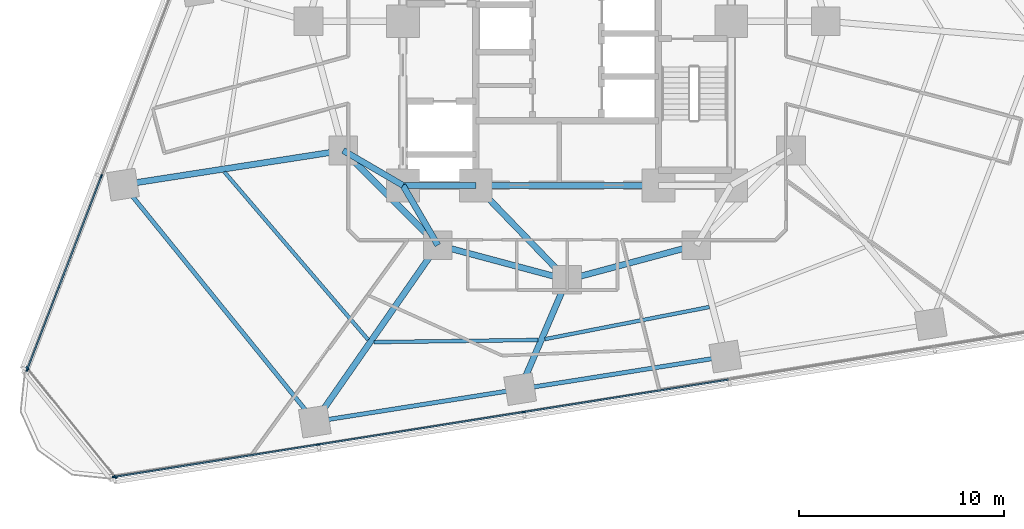
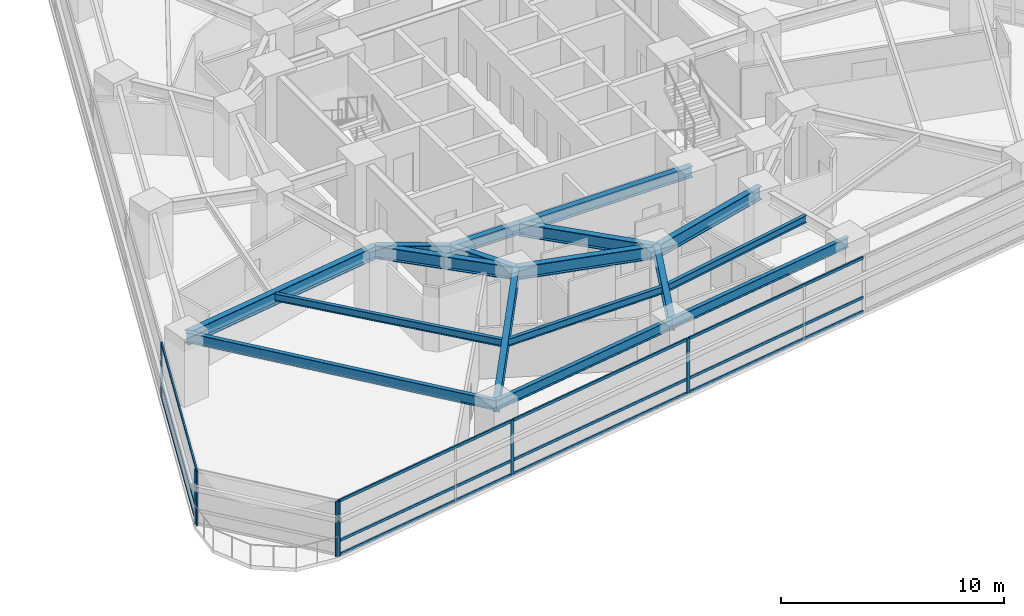
# One storey, part 2 of 14: 19 members, 17 beams, 3 elements without a shape of their own.
"""IFC4 building model written with IfcOpenShell, lengths in metres."""

from ifc_helpers import new_model, si_unit, direction, frame, origin, origin_2d, place, context, subcontext, project, spatial, rectangle, i_section, extrude, material, layer, layer_set, material_profile, profile_set, type_object, element, aggregate, save


model = new_model("IFC4")

# Units and contexts
model_context = context("Model", 3, precision=1e-05, world=origin(), true_north=direction((0.0, 1.0)))
body_context = subcontext(model_context, "Body", "Model", "MODEL_VIEW")
ifc_project = project(units=[si_unit("LENGTHUNIT", "METRE"), si_unit("AREAUNIT", "SQUARE_METRE"), si_unit("VOLUMEUNIT", "CUBIC_METRE"), si_unit("PLANEANGLEUNIT", "RADIAN"), si_unit("MASSUNIT", "GRAM", prefix="KILO")], contexts=[model_context])

# Site, building, storey
site_placement = place(None, origin())
site = spatial("IfcSite", under=ifc_project, at=site_placement, CompositionType="ELEMENT")
building_placement = place(site_placement, origin())
building = spatial("IfcBuilding", under=site, at=building_placement, Name="Terralouvre Media Tower", CompositionType="ELEMENT")
storey_placement = place(building_placement, frame((0.0, 0.0, 63.0)))
storey = spatial("IfcBuildingStorey", under=building, at=storey_placement, Name="L15", CompositionType="ELEMENT", Elevation=63.0)

# Beams
ifc_material_1 = material(Name="Structural steel S355J2", Category="steel")
ifc_material_profile_1 = material_profile(ifc_material_1, i_section(OverallWidth=0.179931640625, OverallDepth=0.39990234375, WebThickness=0.008544921875, FlangeThickness=0.013427734375, at=origin_2d()), Name="IPE 400")
ifc_profile_set_1 = profile_set([ifc_material_profile_1], Name="Structural steel S355J2")
beam_type_1 = type_object("IfcBeamType", Name="Composite Floor Joist J-IPE400 (IPE 400)", PredefinedType="JOIST", material=ifc_profile_set_1)
beam_1_placement = place(storey_placement, frame((-16.69921875, -7.3486328125, 3.300048828125), z_axis=(0.650576599138, -0.759440641955, 0.0), x_axis=(0.759440641955, 0.650576599138, 0.0)))
element("IfcBeam", 1, at=beam_1_placement, inside=storey, type_object=beam_type_1, Name="L15 Framing Beam JT-L15-01", PredefinedType="JOIST", context=body_context, shape_type="SweptSolid", body=[
    extrude(i_section(OverallWidth=0.179931640625, OverallDepth=0.39990234375, WebThickness=0.008544921875, FlangeThickness=0.013427734375, at=origin_2d()), origin(), (0.0, 0.0, 1.0), 10.766845703125),
])
beam_2_placement = place(storey_placement, frame((-9.41259765625, -15.63916015625, 3.300048828125), z_axis=(0.999910093881, 0.013409107136, 0.0), x_axis=(-0.013409107136, 0.999910093881, 0.0)))
element("IfcBeam", 2, at=beam_2_placement, inside=storey, type_object=beam_type_1, Name="L15 Framing Beam JT-L15-02", PredefinedType="JOIST", context=body_context, shape_type="SweptSolid", body=[
    extrude(i_section(OverallWidth=0.179931640625, OverallDepth=0.39990234375, WebThickness=0.008544921875, FlangeThickness=0.013427734375, at=origin_2d()), origin(), (0.0, 0.0, 1.0), 7.992919921875),
])
beam_3_placement = place(storey_placement, frame((-1.08203125, -15.495361328125, 3.300048828125), z_axis=(0.981397676367, 0.191985939127, 0.0), x_axis=(-0.191985939127, 0.981397676367, 0.0)))
element("IfcBeam", 3, at=beam_3_placement, inside=storey, type_object=beam_type_1, Name="L15 Framing Beam JT-L15-03", PredefinedType="JOIST", context=body_context, shape_type="SweptSolid", body=[
    extrude(i_section(OverallWidth=0.179931640625, OverallDepth=0.39990234375, WebThickness=0.008544921875, FlangeThickness=0.013427734375, at=origin_2d()), origin(), (0.0, 0.0, 1.0), 8.165283203125),
])

# Curtain wall, members
ifc_material_2 = material(Name="Low-iron laminated double glazing with solar-control coating", Category="glass")
ifc_layer_1 = layer(ifc_material_2, 0.1650390625, Name="Lower Media Tower Unitised Curtain Wall CW-02")
ifc_layer_set_1 = layer_set([ifc_layer_1], Name="Low-iron laminated double glazing with solar-control coating")
curtain_wall_type_1 = type_object("IfcCurtainWallType", Name="Lower Media Tower Unitised Curtain Wall CW-02", PredefinedType="NOTDEFINED", material=ifc_layer_set_1)
curtain_wall_1_placement = place(storey_placement, origin())
curtain_wall_1 = element("IfcCurtainWall", 4, at=curtain_wall_1_placement, inside=storey, type_object=curtain_wall_type_1, Name="L15 Facade Curtain Wall F0", PredefinedType="NOTDEFINED")
ifc_material_3 = material(Name="Anodised extruded aluminium 6063-T6", Category="aluminium")
ifc_material_profile_2 = material_profile(ifc_material_3, rectangle(XDim=0.074951171875, YDim=0.14990234375, at=origin_2d()), Name="ALU 75x150")
ifc_profile_set_2 = profile_set([ifc_material_profile_2], Name="Anodised extruded aluminium 6063-T6")
member_type_1 = type_object("IfcMemberType", Name="Curtain-Wall Horizontal Transom TR-150", PredefinedType="USERDEFINED", material=ifc_profile_set_2)
member_1_placement = place(storey_placement, frame((-22.04345703125, -22.2001953125, 0.03759765625), z_axis=(0.987689925264, 0.15642445951, 0.0), x_axis=(-0.15642445951, 0.987689925264, 0.0)))
member_1 = element("IfcMember", 5, at=member_1_placement, type_object=member_type_1, Name="CW-02 transom 1.1", ObjectType="TRANSOM", PredefinedType="USERDEFINED", context=body_context, shape_type="SweptSolid", body=[
    extrude(rectangle(XDim=0.074951171875, YDim=0.14990234375, at=origin_2d()), origin(), (0.0, 0.0, 1.0), 10.015380859375),
])
member_2_placement = place(storey_placement, frame((-22.04345703125, -22.2001953125, 0.800048828125), z_axis=(0.987689925264, 0.15642445951, 0.0), x_axis=(-0.15642445951, 0.987689925264, 0.0)))
member_2 = element("IfcMember", 6, at=member_2_placement, type_object=member_type_1, Name="CW-02 transom 1.2", ObjectType="TRANSOM", PredefinedType="USERDEFINED", context=body_context, shape_type="SweptSolid", body=[
    extrude(rectangle(XDim=0.074951171875, YDim=0.14990234375, at=origin_2d()), origin(), (0.0, 0.0, 1.0), 10.015380859375),
])
member_3_placement = place(storey_placement, frame((-22.04345703125, -22.2001953125, 2.96240234375), z_axis=(0.987689925264, 0.15642445951, 0.0), x_axis=(-0.15642445951, 0.987689925264, 0.0)))
member_3 = element("IfcMember", 7, at=member_3_placement, type_object=member_type_1, Name="CW-02 transom 1.3", ObjectType="TRANSOM", PredefinedType="USERDEFINED", context=body_context, shape_type="SweptSolid", body=[
    extrude(rectangle(XDim=0.074951171875, YDim=0.14990234375, at=origin_2d()), origin(), (0.0, 0.0, 1.0), 10.015380859375),
])
member_4_placement = place(storey_placement, frame((-12.0771484375, -20.62158203125, 0.03759765625), z_axis=(0.987690198625, 0.156422733448, 0.0), x_axis=(-0.156422733448, 0.987690198625, 0.0)))
member_4 = element("IfcMember", 8, at=member_4_placement, type_object=member_type_1, Name="CW-02 transom 2.1", ObjectType="TRANSOM", PredefinedType="USERDEFINED", context=body_context, shape_type="SweptSolid", body=[
    extrude(rectangle(XDim=0.074951171875, YDim=0.14990234375, at=origin_2d()), origin(), (0.0, 0.0, 1.0), 10.052978515625),
])
member_5_placement = place(storey_placement, frame((-12.0771484375, -20.62158203125, 0.800048828125), z_axis=(0.987690198625, 0.156422733448, 0.0), x_axis=(-0.156422733448, 0.987690198625, 0.0)))
member_5 = element("IfcMember", 9, at=member_5_placement, type_object=member_type_1, Name="CW-02 transom 2.2", ObjectType="TRANSOM", PredefinedType="USERDEFINED", context=body_context, shape_type="SweptSolid", body=[
    extrude(rectangle(XDim=0.074951171875, YDim=0.14990234375, at=origin_2d()), origin(), (0.0, 0.0, 1.0), 10.052978515625),
])
member_6_placement = place(storey_placement, frame((-12.0771484375, -20.62158203125, 2.96240234375), z_axis=(0.987690198625, 0.156422733448, 0.0), x_axis=(-0.156422733448, 0.987690198625, 0.0)))
member_6 = element("IfcMember", 10, at=member_6_placement, type_object=member_type_1, Name="CW-02 transom 2.3", ObjectType="TRANSOM", PredefinedType="USERDEFINED", context=body_context, shape_type="SweptSolid", body=[
    extrude(rectangle(XDim=0.074951171875, YDim=0.14990234375, at=origin_2d()), origin(), (0.0, 0.0, 1.0), 10.052978515625),
])
member_7_placement = place(storey_placement, frame((-2.073974609375, -19.037353515625, 0.03759765625), z_axis=(0.987686446318, 0.156446424568, 0.0), x_axis=(-0.156446424568, 0.987686446318, 0.0)))
member_7 = element("IfcMember", 11, at=member_7_placement, type_object=member_type_1, Name="CW-02 transom 3.1", ObjectType="TRANSOM", PredefinedType="USERDEFINED", context=body_context, shape_type="SweptSolid", body=[
    extrude(rectangle(XDim=0.074951171875, YDim=0.14990234375, at=origin_2d()), origin(), (0.0, 0.0, 1.0), 10.052978515625),
])
member_8_placement = place(storey_placement, frame((-2.073974609375, -19.037353515625, 0.800048828125), z_axis=(0.987686446318, 0.156446424568, 0.0), x_axis=(-0.156446424568, 0.987686446318, 0.0)))
member_8 = element("IfcMember", 12, at=member_8_placement, type_object=member_type_1, Name="CW-02 transom 3.2", ObjectType="TRANSOM", PredefinedType="USERDEFINED", context=body_context, shape_type="SweptSolid", body=[
    extrude(rectangle(XDim=0.074951171875, YDim=0.14990234375, at=origin_2d()), origin(), (0.0, 0.0, 1.0), 10.052978515625),
])
member_9_placement = place(storey_placement, frame((-2.073974609375, -19.037353515625, 2.96240234375), z_axis=(0.987686446318, 0.156446424568, 0.0), x_axis=(-0.156446424568, 0.987686446318, 0.0)))
member_9 = element("IfcMember", 13, at=member_9_placement, type_object=member_type_1, Name="CW-02 transom 3.3", ObjectType="TRANSOM", PredefinedType="USERDEFINED", context=body_context, shape_type="SweptSolid", body=[
    extrude(rectangle(XDim=0.074951171875, YDim=0.14990234375, at=origin_2d()), origin(), (0.0, 0.0, 1.0), 10.052978515625),
])

curtain_wall_2_placement = place(storey_placement, origin())
curtain_wall_2 = element("IfcCurtainWall", 14, at=curtain_wall_2_placement, inside=storey, type_object=curtain_wall_type_1, Name="L15 Facade Curtain Wall F2", PredefinedType="NOTDEFINED")
member_10_placement = place(storey_placement, frame((-22.708984375, -7.595947265625, 0.03759765625), z_axis=(-0.358363173116, -0.933582259983, 0.0), x_axis=(0.933582259983, -0.358363173116, 0.0)))
member_10 = element("IfcMember", 15, at=member_10_placement, type_object=member_type_1, Name="CW-02 transom 5.1", ObjectType="TRANSOM", PredefinedType="USERDEFINED", context=body_context, shape_type="SweptSolid", body=[
    extrude(rectangle(XDim=0.074951171875, YDim=0.14990234375, at=origin_2d()), origin(), (0.0, 0.0, 1.0), 10.015380859375),
])
member_11_placement = place(storey_placement, frame((-22.708984375, -7.595947265625, 0.800048828125), z_axis=(-0.358363173116, -0.933582259983, 0.0), x_axis=(0.933582259983, -0.358363173116, 0.0)))
member_11 = element("IfcMember", 16, at=member_11_placement, type_object=member_type_1, Name="CW-02 transom 5.2", ObjectType="TRANSOM", PredefinedType="USERDEFINED", context=body_context, shape_type="SweptSolid", body=[
    extrude(rectangle(XDim=0.074951171875, YDim=0.14990234375, at=origin_2d()), origin(), (0.0, 0.0, 1.0), 10.015380859375),
])
member_12_placement = place(storey_placement, frame((-22.708984375, -7.595947265625, 2.96240234375), z_axis=(-0.358363173116, -0.933582259983, 0.0), x_axis=(0.933582259983, -0.358363173116, 0.0)))
member_12 = element("IfcMember", 17, at=member_12_placement, type_object=member_type_1, Name="CW-02 transom 5.3", ObjectType="TRANSOM", PredefinedType="USERDEFINED", context=body_context, shape_type="SweptSolid", body=[
    extrude(rectangle(XDim=0.074951171875, YDim=0.14990234375, at=origin_2d()), origin(), (0.0, 0.0, 1.0), 10.015380859375),
])

# Member
ifc_material_4 = material(Name="Anodised extruded aluminium 6063-T6", Category="aluminium")
ifc_material_profile_3 = material_profile(ifc_material_4, rectangle(XDim=0.074951171875, YDim=0.179931640625, at=origin_2d()), Name="ALU 75x180")
ifc_profile_set_3 = profile_set([ifc_material_profile_3], Name="Anodised extruded aluminium 6063-T6")
member_type_2 = type_object("IfcMemberType", Name="Curtain-Wall Vertical Mullion ML-180", PredefinedType="MULLION", material=ifc_profile_set_3)
member_13_placement = place(storey_placement, frame((-22.08056640625, -22.2060546875, 0.0), z_axis=(0.0, 0.0, 1.0), x_axis=(-0.156434462903, 0.987688340934, 0.0)))
member_13 = element("IfcMember", 18, at=member_13_placement, type_object=member_type_2, Name="CW-02 mullion 1", PredefinedType="MULLION", context=body_context, shape_type="SweptSolid", body=[
    extrude(rectangle(XDim=0.074951171875, YDim=0.179931640625, at=origin_2d()), origin(), (0.0, 0.0, 1.0), 3.0),
])

member_14_placement = place(storey_placement, frame((-12.1142578125, -20.62744140625, 0.0), z_axis=(0.0, 0.0, 1.0), x_axis=(-0.156434462903, 0.987688340934, 0.0)))
member_14 = element("IfcMember", 19, at=member_14_placement, type_object=member_type_2, Name="CW-02 mullion 2", PredefinedType="MULLION", context=body_context, shape_type="SweptSolid", body=[
    extrude(rectangle(XDim=0.074951171875, YDim=0.179931640625, at=origin_2d()), origin(), (0.0, 0.0, 1.0), 3.0),
])

member_15_placement = place(storey_placement, frame((-2.111083984375, -19.043212890625, 0.0), z_axis=(0.0, 0.0, 1.0), x_axis=(-0.156434462903, 0.987688340934, 0.0)))
member_15 = element("IfcMember", 20, at=member_15_placement, type_object=member_type_2, Name="CW-02 mullion 3", PredefinedType="MULLION", context=body_context, shape_type="SweptSolid", body=[
    extrude(rectangle(XDim=0.074951171875, YDim=0.179931640625, at=origin_2d()), origin(), (0.0, 0.0, 1.0), 3.0),
])

aggregate(curtain_wall_1, [member_13, member_14, member_15, member_1, member_2, member_3, member_4, member_5, member_6, member_7, member_8, member_9])

member_16_placement = place(storey_placement, frame((-22.695556640625, -7.560791015625, 0.0), z_axis=(0.0, 0.0, 1.0), x_axis=(0.933580438988, -0.358367917006, 0.0)))
member_16 = element("IfcMember", 21, at=member_16_placement, type_object=member_type_2, Name="CW-02 mullion 5", PredefinedType="MULLION", context=body_context, shape_type="SweptSolid", body=[
    extrude(rectangle(XDim=0.074951171875, YDim=0.179931640625, at=origin_2d()), origin(), (0.0, 0.0, 1.0), 3.0),
])

member_17_placement = place(storey_placement, frame((-26.3115234375, -16.981201171875, 0.0), z_axis=(0.0, 0.0, 1.0), x_axis=(0.933580438988, -0.358367917006, 0.0)))
member_17 = element("IfcMember", 22, at=member_17_placement, type_object=member_type_2, Name="CW-02 mullion 6", PredefinedType="MULLION", context=body_context, shape_type="SweptSolid", body=[
    extrude(rectangle(XDim=0.074951171875, YDim=0.179931640625, at=origin_2d()), origin(), (0.0, 0.0, 1.0), 3.0),
])

aggregate(curtain_wall_2, [member_16, member_17, member_10, member_11, member_12])

# Curtain wall, members
ifc_material_5 = material(Name="Low-iron laminated double glazing with solar-control coating", Category="glass")
ifc_layer_2 = layer(ifc_material_5, 0.1650390625, Name="Rounded Wind-Corner Curved Glazing CW-04")
ifc_layer_set_2 = layer_set([ifc_layer_2], Name="Low-iron laminated double glazing with solar-control coating")
curtain_wall_type_2 = type_object("IfcCurtainWallType", Name="Rounded Wind-Corner Curved Glazing CW-04", PredefinedType="NOTDEFINED", material=ifc_layer_set_2)
curtain_wall_3_placement = place(storey_placement, origin())
curtain_wall_3 = element("IfcCurtainWall", 23, at=curtain_wall_3_placement, inside=storey, type_object=curtain_wall_type_2, Name="L15 Rounded Wind-Corner Curtain Wall C0", PredefinedType="NOTDEFINED")
member_18_placement = place(storey_placement, frame((-26.3046875, -16.9140625, 0.0), z_axis=(0.0, 0.0, 1.0), x_axis=(0.777146252262, 0.629320031936, 0.0)))
member_18 = element("IfcMember", 24, at=member_18_placement, type_object=member_type_2, Name="CW-04 mullion 1", PredefinedType="MULLION", context=body_context, shape_type="SweptSolid", body=[
    extrude(rectangle(XDim=0.074951171875, YDim=0.179931640625, at=origin_2d()), origin(), (0.0, 0.0, 1.0), 3.0),
])
member_19_placement = place(storey_placement, frame((-22.013671875, -22.213134765625, 0.0), z_axis=(0.0, 0.0, 1.0), x_axis=(0.777146252262, 0.629320031936, 0.0)))
member_19 = element("IfcMember", 25, at=member_19_placement, type_object=member_type_2, Name="CW-04 mullion 2", PredefinedType="MULLION", context=body_context, shape_type="SweptSolid", body=[
    extrude(rectangle(XDim=0.074951171875, YDim=0.179931640625, at=origin_2d()), origin(), (0.0, 0.0, 1.0), 3.0),
])
aggregate(curtain_wall_3, [member_18, member_19])

# Beams
ifc_material_6 = material(Name="Structural steel S355J2", Category="steel")
ifc_material_profile_4 = material_profile(ifc_material_6, i_section(OverallWidth=0.2099609375, OverallDepth=0.550048828125, WebThickness=0.010986328125, FlangeThickness=0.01708984375, at=origin_2d()), Name="IPE 550")
ifc_profile_set_4 = profile_set([ifc_material_profile_4], Name="Structural steel S355J2")
beam_type_2 = type_object("IfcBeamType", Name="Perimeter Spandrel Beam SPB-550 (IPE 550)", PredefinedType="SPANDREL", material=ifc_profile_set_4)
beam_4_placement = place(storey_placement, frame((-21.640625, -7.9658203125, 3.22509765625), z_axis=(0.629325386112, -0.777141916509, 0.0), x_axis=(0.777141916509, 0.629325386112, 0.0)))
element("IfcBeam", 26, at=beam_4_placement, inside=storey, type_object=beam_type_2, Name="L15 Framing Beam BM-L15-PR01", PredefinedType="SPANDREL", context=body_context, shape_type="SweptSolid", body=[
    extrude(i_section(OverallWidth=0.2099609375, OverallDepth=0.550048828125, WebThickness=0.010986328125, FlangeThickness=0.01708984375, at=origin_2d()), origin(), (0.0, 0.0, 1.0), 14.8564453125),
])
beam_5_placement = place(storey_placement, frame((-12.291015625, -19.511474609375, 3.22509765625), z_axis=(0.987686424887, 0.156446559869, 0.0), x_axis=(-0.156446559869, 0.987686424887, 0.0)))
element("IfcBeam", 27, at=beam_5_placement, inside=storey, type_object=beam_type_2, Name="L15 Framing Beam BM-L15-PR02", PredefinedType="SPANDREL", context=body_context, shape_type="SweptSolid", body=[
    extrude(i_section(OverallWidth=0.2099609375, OverallDepth=0.550048828125, WebThickness=0.010986328125, FlangeThickness=0.01708984375, at=origin_2d()), origin(), (0.0, 0.0, 1.0), 10.1279296875),
])
beam_6_placement = place(storey_placement, frame((-2.287841796875, -17.927001953125, 3.22509765625), z_axis=(0.987690739256, 0.15641931974, 0.0), x_axis=(-0.15641931974, 0.987690739256, 0.0)))
element("IfcBeam", 28, at=beam_6_placement, inside=storey, type_object=beam_type_2, Name="L15 Framing Beam BM-L15-PR03", PredefinedType="SPANDREL", context=body_context, shape_type="SweptSolid", body=[
    extrude(i_section(OverallWidth=0.2099609375, OverallDepth=0.550048828125, WebThickness=0.010986328125, FlangeThickness=0.01708984375, at=origin_2d()), origin(), (0.0, 0.0, 1.0), 10.128173828125),
])
ifc_material_7 = material(Name="Structural steel S460M", Category="steel")
ifc_material_profile_5 = material_profile(ifc_material_7, i_section(OverallWidth=0.300048828125, OverallDepth=0.60009765625, WebThickness=0.015380859375, FlangeThickness=0.030029296875, at=origin_2d()), Name="HEB 600")
ifc_profile_set_5 = profile_set([ifc_material_profile_5], Name="Structural steel S460M")
beam_type_3 = type_object("IfcBeamType", Name="Primary Floor Girder B-HEB600 (HEB 600)", PredefinedType="BEAM", material=ifc_profile_set_5)
beam_7_placement = place(storey_placement, frame((-8.0, -8.0, 3.199951171875), z_axis=(1.0, 0.0, 0.0), x_axis=(0.0, 1.0, 0.0)))
element("IfcBeam", 29, at=beam_7_placement, inside=storey, type_object=beam_type_3, Name="L15 Framing Beam BM-L15-CPR01", PredefinedType="BEAM", context=body_context, shape_type="SweptSolid", body=[
    extrude(i_section(OverallWidth=0.300048828125, OverallDepth=0.60009765625, WebThickness=0.015380859375, FlangeThickness=0.030029296875, at=origin_2d()), origin(), (0.0, 0.0, 1.0), 3.550048828125),
])
beam_8_placement = place(storey_placement, frame((-4.449951171875, -8.0, 3.199951171875), z_axis=(1.0, 0.0, 0.0), x_axis=(0.0, 1.0, 0.0)))
element("IfcBeam", 30, at=beam_8_placement, inside=storey, type_object=beam_type_3, Name="L15 Framing Beam BM-L15-CPR02", PredefinedType="BEAM", context=body_context, shape_type="SweptSolid", body=[
    extrude(i_section(OverallWidth=0.300048828125, OverallDepth=0.60009765625, WebThickness=0.015380859375, FlangeThickness=0.030029296875, at=origin_2d()), origin(), (0.0, 0.0, 1.0), 8.89990234375),
])
ifc_material_8 = material(Name="Structural steel S460M", Category="steel")
ifc_material_profile_6 = material_profile(ifc_material_8, i_section(OverallWidth=0.300048828125, OverallDepth=0.699951171875, WebThickness=0.01708984375, FlangeThickness=0.031982421875, at=origin_2d()), Name="HEB 700")
ifc_profile_set_6 = profile_set([ifc_material_profile_6], Name="Structural steel S460M")
beam_type_4 = type_object("IfcBeamType", Name="Primary Floor Girder B-HEB700 (HEB 700)", PredefinedType="BEAM", material=ifc_profile_set_6)
beam_9_placement = place(storey_placement, frame((-10.911865234375, -6.300048828125, 3.14990234375), z_axis=(0.707106781187, -0.707106781187, 0.0), x_axis=(0.707106781187, 0.707106781187, 0.0)))
element("IfcBeam", 31, at=beam_9_placement, inside=storey, type_object=beam_type_4, Name="L15 Framing Beam BM-L15-MR01", PredefinedType="BEAM", context=body_context, shape_type="SweptSolid", body=[
    extrude(i_section(OverallWidth=0.300048828125, OverallDepth=0.699951171875, WebThickness=0.01708984375, FlangeThickness=0.031982421875, at=origin_2d()), origin(), (0.0, 0.0, 1.0), 6.52197265625),
])
for number, where, z_axis, x_axis, name in (
    (32, (-6.300048828125, -10.911865234375, 3.14990234375), (0.965920481897, -0.258838989821, 0.0), (0.258838989821, 0.965920481897, 0.0), "L15 Framing Beam BM-L15-MR02"),
    (33, (0.0, -12.60009765625, 3.14990234375), (0.965920481897, 0.258838989821, 0.0), (-0.258838989821, 0.965920481897, 0.0), "L15 Framing Beam BM-L15-MR03"),
):
    element("IfcBeam", number, at=place(storey_placement, frame(where, z_axis=z_axis, x_axis=x_axis)), inside=storey, type_object=beam_type_4, Name=name, PredefinedType="BEAM", context=body_context, shape_type="SweptSolid", body=[
        extrude(i_section(OverallWidth=0.300048828125, OverallDepth=0.699951171875, WebThickness=0.01708984375, FlangeThickness=0.031982421875, at=origin_2d()), origin(), (0.0, 0.0, 1.0), 6.522216796875),
    ])
for number, where, z_axis, x_axis, name in (
    (34, (-8.0, -8.0, 3.14990234375), (-0.863602894532, 0.504172629717, 0.0), (-0.504172629717, -0.863602894532, 0.0), "L15 Framing Beam BM-L15-CM01"),
    (35, (-8.0, -8.0, 3.14990234375), (0.504172629717, -0.863602894532, 0.0), (0.863602894532, 0.504172629717, 0.0), "L15 Framing Beam BM-L15-CM02"),
):
    element("IfcBeam", number, at=place(storey_placement, frame(where, z_axis=z_axis, x_axis=x_axis)), inside=storey, type_object=beam_type_4, Name=name, PredefinedType="BEAM", context=body_context, shape_type="SweptSolid", body=[
        extrude(i_section(OverallWidth=0.300048828125, OverallDepth=0.699951171875, WebThickness=0.01708984375, FlangeThickness=0.031982421875, at=origin_2d()), origin(), (0.0, 0.0, 1.0), 3.371826171875),
    ])
beam_10_placement = place(storey_placement, frame((-4.449951171875, -8.0, 3.14990234375), z_axis=(0.695279715726, -0.718739255155, 0.0), x_axis=(0.718739255155, 0.695279715726, 0.0)))
element("IfcBeam", 36, at=beam_10_placement, inside=storey, type_object=beam_type_4, Name="L15 Framing Beam BM-L15-CM03", PredefinedType="BEAM", context=body_context, shape_type="SweptSolid", body=[
    extrude(i_section(OverallWidth=0.300048828125, OverallDepth=0.699951171875, WebThickness=0.01708984375, FlangeThickness=0.031982421875, at=origin_2d()), origin(), (0.0, 0.0, 1.0), 6.400146484375),
])
beam_11_placement = place(storey_placement, frame((-10.911865234375, -6.300048828125, 3.14990234375), z_axis=(-0.98816044694, -0.153424023881, 0.0), x_axis=(0.153424023881, -0.98816044694, 0.0)))
element("IfcBeam", 37, at=beam_11_placement, inside=storey, type_object=beam_type_4, Name="L15 Framing Beam BM-L15-RD01", PredefinedType="BEAM", context=body_context, shape_type="SweptSolid", body=[
    extrude(i_section(OverallWidth=0.300048828125, OverallDepth=0.699951171875, WebThickness=0.01708984375, FlangeThickness=0.031982421875, at=origin_2d()), origin(), (0.0, 0.0, 1.0), 10.857421875),
])
beam_12_placement = place(storey_placement, frame((-6.300048828125, -10.911865234375, 3.14990234375), z_axis=(-0.571619237268, -0.820519011105, 0.0), x_axis=(0.820519011105, -0.571619237268, 0.0)))
element("IfcBeam", 38, at=beam_12_placement, inside=storey, type_object=beam_type_4, Name="L15 Framing Beam BM-L15-RD02", PredefinedType="BEAM", context=body_context, shape_type="SweptSolid", body=[
    extrude(i_section(OverallWidth=0.300048828125, OverallDepth=0.699951171875, WebThickness=0.01708984375, FlangeThickness=0.031982421875, at=origin_2d()), origin(), (0.0, 0.0, 1.0), 10.480712890625),
])
beam_13_placement = place(storey_placement, frame((0.0, -12.60009765625, 3.14990234375), z_axis=(-0.394630726641, -0.918839806272, 0.0), x_axis=(0.918839806272, -0.394630726641, 0.0)))
element("IfcBeam", 39, at=beam_13_placement, inside=storey, type_object=beam_type_4, Name="L15 Framing Beam BM-L15-RD03", PredefinedType="BEAM", context=body_context, shape_type="SweptSolid", body=[
    extrude(i_section(OverallWidth=0.300048828125, OverallDepth=0.699951171875, WebThickness=0.01708984375, FlangeThickness=0.031982421875, at=origin_2d()), origin(), (0.0, 0.0, 1.0), 5.79736328125),
])

save(model, "model.ifc")
